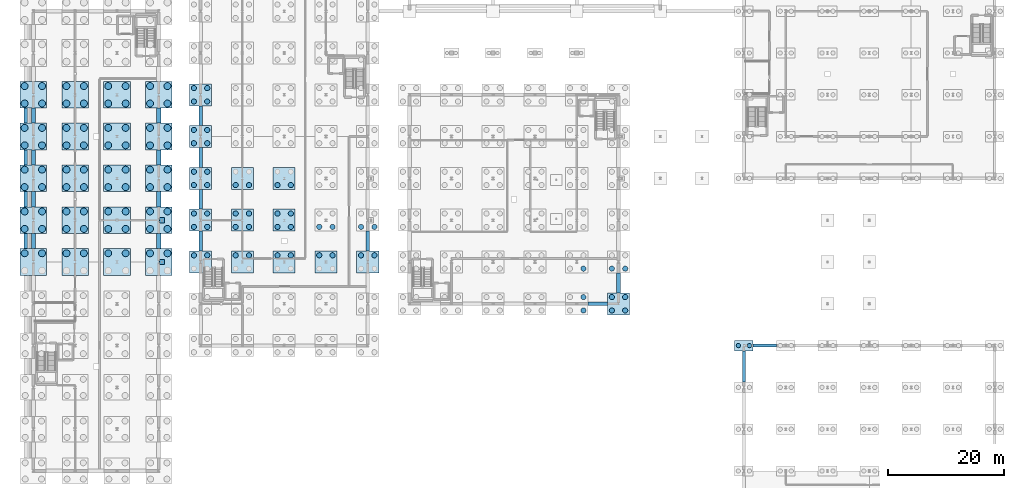
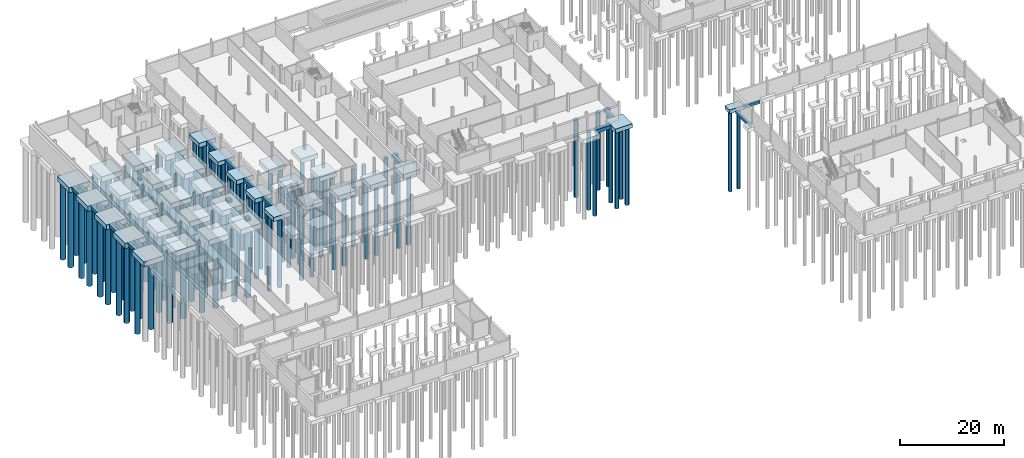
# One storey, part 3 of 50: 125 piles, 58 footings.
"""IFC4 building model written with IfcOpenShell, lengths in metres."""

from ifc_helpers import new_model, si_unit, direction, frame, origin, origin_2d, place, context, subcontext, project, spatial, rectangle, circle, extrude, material, layer, layer_set, material_profile, profile_set, type_object, element, save


model = new_model("IFC4")

# Units and contexts
model_context = context("Model", 3, precision=1e-05, world=origin(), true_north=direction((0.0, 1.0)))
body_context = subcontext(model_context, "Body", "Model", "MODEL_VIEW")
ifc_project = project(units=[si_unit("LENGTHUNIT", "METRE"), si_unit("AREAUNIT", "SQUARE_METRE"), si_unit("VOLUMEUNIT", "CUBIC_METRE"), si_unit("PLANEANGLEUNIT", "RADIAN"), si_unit("MASSUNIT", "GRAM", prefix="KILO")], contexts=[model_context])

# Site, building, storey
site_placement = place(None, origin())
site = spatial("IfcSite", under=ifc_project, at=site_placement, CompositionType="ELEMENT")
building_placement = place(site_placement, origin())
building = spatial("IfcBuilding", under=site, at=building_placement, Name="Narikvali Park Central Library", CompositionType="ELEMENT")
storey_placement = place(building_placement, frame((0.0, 0.0, -4.199951171875)))
storey = spatial("IfcBuildingStorey", under=building, at=storey_placement, Name="B1", CompositionType="ELEMENT", Elevation=-4.199951171875)

# Piles
ifc_material = material(Name="Concrete C35/45", Category="concrete")
ifc_material_profile_1 = material_profile(ifc_material, circle(Radius=0.60009765625, at=origin_2d()), Name="PILE D1200")
ifc_profile_set_1 = profile_set([ifc_material_profile_1], Name="Concrete C35/45")
pile_type_1 = type_object("IfcPileType", Name="Bored Pile D1200", PredefinedType="BORED", material=ifc_profile_set_1)
for number, where, z_axis, x_axis, name in (
    (1, (-1.5, 66.300048828125, -1.699951171875), (0.0, 0.0, -1.0), (1.0, 0.0, 0.0), "Bored Pile (-1.50,66.30)"),
    (2, (1.5, 66.300048828125, -1.699951171875), (0.0, 0.0, -1.0), (1.0, 0.0, 0.0), "Bored Pile (1.50,66.30)"),
    (3, (-1.5, 70.5, -1.699951171875), (0.0, 0.0, -1.0), (1.0, 0.0, 0.0), "Bored Pile (-1.50,70.50)"),
    (4, (1.5, 70.5, -1.699951171875), (0.0, 0.0, -1.0), (1.0, 0.0, 0.0), "Bored Pile (1.50,70.50)"),
    (5, (-1.5, 73.5, -1.699951171875), (0.0, 0.0, -1.0), (1.0, 0.0, 0.0), "Bored Pile (-1.50,73.50)"),
    (6, (1.5, 73.5, -1.699951171875), (0.0, 0.0, -1.0), (1.0, 0.0, 0.0), "Bored Pile (1.50,73.50)"),
    (7, (-1.5, 77.699951171875, -1.699951171875), (0.0, 0.0, -1.0), (1.0, 0.0, 0.0), "Bored Pile (-1.50,77.70)"),
    (8, (1.5, 77.699951171875, -1.699951171875), (0.0, 0.0, -1.0), (1.0, 0.0, 0.0), "Bored Pile (1.50,77.70)"),
    (9, (-1.5, 80.699951171875, -1.699951171875), (0.0, 0.0, -1.0), (1.0, 0.0, 0.0), "Bored Pile (-1.50,80.70)"),
    (10, (1.5, 80.699951171875, -1.699951171875), (0.0, 0.0, -1.0), (1.0, 0.0, 0.0), "Bored Pile (1.50,80.70)"),
    (11, (-1.5, 84.89990234375, -1.699951171875), (0.0, 0.0, -1.0), (1.0, 0.0, 0.0), "Bored Pile (-1.50,84.90)"),
    (12, (1.5, 84.89990234375, -1.699951171875), (0.0, 0.0, -1.0), (1.0, 0.0, 0.0), "Bored Pile (1.50,84.90)"),
    (13, (-1.5, 87.89990234375, -1.699951171875), (0.0, 0.0, -1.0), (1.0, 0.0, 0.0), "Bored Pile (-1.50,87.90)"),
    (14, (1.5, 87.89990234375, -1.699951171875), (0.0, 0.0, -1.0), (1.0, 0.0, 0.0), "Bored Pile (1.50,87.90)"),
    (15, (-1.5, 92.10009765625, -1.699951171875), (0.0, 0.0, -1.0), (1.0, 0.0, 0.0), "Bored Pile (-1.50,92.10)"),
    (16, (1.5, 92.10009765625, -1.699951171875), (0.0, 0.0, -1.0), (1.0, 0.0, 0.0), "Bored Pile (1.50,92.10)"),
    (17, (-1.5, 95.10009765625, -1.699951171875), (0.0, 0.0, -1.0), (1.0, 0.0, 0.0), "Bored Pile (-1.50,95.10)"),
    (18, (1.5, 95.10009765625, -1.699951171875), (0.0, 0.0, -1.0), (1.0, 0.0, 0.0), "Bored Pile (1.50,95.10)"),
    (19, (5.699951171875, 66.300048828125, -1.699951171875), (0.0, 0.0, -1.0), (1.0, 0.0, 0.0), "Bored Pile (5.70,66.30)"),
    (20, (8.699951171875, 66.300048828125, -1.699951171875), (0.0, 0.0, -1.0), (1.0, 0.0, 0.0), "Bored Pile (8.70,66.30)"),
    (21, (5.699951171875, 70.5, -1.699951171875), (0.0, 0.0, -1.0), (1.0, 0.0, 0.0), "Bored Pile (5.70,70.50)"),
    (22, (8.699951171875, 70.5, -1.699951171875), (0.0, 0.0, -1.0), (1.0, 0.0, 0.0), "Bored Pile (8.70,70.50)"),
    (23, (5.699951171875, 73.5, -1.699951171875), (0.0, 0.0, -1.0), (1.0, 0.0, 0.0), "Bored Pile (5.70,73.50)"),
    (24, (8.699951171875, 73.5, -1.699951171875), (0.0, 0.0, -1.0), (1.0, 0.0, 0.0), "Bored Pile (8.70,73.50)"),
    (25, (5.699951171875, 77.699951171875, -1.699951171875), (0.0, 0.0, -1.0), (1.0, 0.0, 0.0), "Bored Pile (5.70,77.70)"),
    (26, (8.699951171875, 77.699951171875, -1.699951171875), (0.0, 0.0, -1.0), (1.0, 0.0, 0.0), "Bored Pile (8.70,77.70)"),
    (27, (5.699951171875, 80.699951171875, -1.699951171875), (0.0, 0.0, -1.0), (1.0, 0.0, 0.0), "Bored Pile (5.70,80.70)"),
    (28, (8.699951171875, 80.699951171875, -1.699951171875), (0.0, 0.0, -1.0), (1.0, 0.0, 0.0), "Bored Pile (8.70,80.70)"),
    (29, (5.699951171875, 84.89990234375, -1.699951171875), (0.0, 0.0, -1.0), (1.0, 0.0, 0.0), "Bored Pile (5.70,84.90)"),
    (30, (8.699951171875, 84.89990234375, -1.699951171875), (0.0, 0.0, -1.0), (1.0, 0.0, 0.0), "Bored Pile (8.70,84.90)"),
    (31, (5.699951171875, 87.89990234375, -1.699951171875), (0.0, 0.0, -1.0), (1.0, 0.0, 0.0), "Bored Pile (5.70,87.90)"),
    (32, (8.699951171875, 87.89990234375, -1.699951171875), (0.0, 0.0, -1.0), (1.0, 0.0, 0.0), "Bored Pile (8.70,87.90)"),
    (33, (5.699951171875, 92.10009765625, -1.699951171875), (0.0, 0.0, -1.0), (1.0, 0.0, 0.0), "Bored Pile (5.70,92.10)"),
    (34, (8.699951171875, 92.10009765625, -1.699951171875), (0.0, 0.0, -1.0), (1.0, 0.0, 0.0), "Bored Pile (8.70,92.10)"),
    (35, (5.699951171875, 95.10009765625, -1.699951171875), (0.0, 0.0, -1.0), (1.0, 0.0, 0.0), "Bored Pile (5.70,95.10)"),
    (36, (8.699951171875, 95.10009765625, -1.699951171875), (0.0, 0.0, -1.0), (1.0, 0.0, 0.0), "Bored Pile (8.70,95.10)"),
    (37, (12.89990234375, 66.300048828125, -1.699951171875), (0.0, 0.0, -1.0), (1.0, 0.0, 0.0), "Bored Pile (12.90,66.30)"),
    (38, (15.89990234375, 66.300048828125, -1.699951171875), (0.0, 0.0, -1.0), (1.0, 0.0, 0.0), "Bored Pile (15.90,66.30)"),
    (39, (12.89990234375, 70.5, -1.699951171875), (0.0, 0.0, -1.0), (1.0, 0.0, 0.0), "Bored Pile (12.90,70.50)"),
    (40, (15.89990234375, 70.5, -1.699951171875), (0.0, 0.0, -1.0), (1.0, 0.0, 0.0), "Bored Pile (15.90,70.50)"),
    (41, (12.89990234375, 73.5, -1.699951171875), (0.0, 0.0, -1.0), (1.0, 0.0, 0.0), "Bored Pile (12.90,73.50)"),
    (42, (15.89990234375, 73.5, -1.699951171875), (0.0, 0.0, -1.0), (1.0, 0.0, 0.0), "Bored Pile (15.90,73.50)"),
    (43, (12.89990234375, 77.699951171875, -1.699951171875), (0.0, 0.0, -1.0), (1.0, 0.0, 0.0), "Bored Pile (12.90,77.70)"),
    (44, (15.89990234375, 77.699951171875, -1.699951171875), (0.0, 0.0, -1.0), (1.0, 0.0, 0.0), "Bored Pile (15.90,77.70)"),
    (45, (12.89990234375, 80.699951171875, -1.699951171875), (0.0, 0.0, -1.0), (1.0, 0.0, 0.0), "Bored Pile (12.90,80.70)"),
    (46, (15.89990234375, 80.699951171875, -1.699951171875), (0.0, 0.0, -1.0), (1.0, 0.0, 0.0), "Bored Pile (15.90,80.70)"),
    (47, (12.89990234375, 84.89990234375, -1.699951171875), (0.0, 0.0, -1.0), (1.0, 0.0, 0.0), "Bored Pile (12.90,84.90)"),
    (48, (15.89990234375, 84.89990234375, -1.699951171875), (0.0, 0.0, -1.0), (1.0, 0.0, 0.0), "Bored Pile (15.90,84.90)"),
    (49, (12.89990234375, 87.89990234375, -1.699951171875), (0.0, 0.0, -1.0), (1.0, 0.0, 0.0), "Bored Pile (12.90,87.90)"),
    (50, (15.89990234375, 87.89990234375, -1.699951171875), (0.0, 0.0, -1.0), (1.0, 0.0, 0.0), "Bored Pile (15.90,87.90)"),
    (51, (12.89990234375, 92.10009765625, -1.699951171875), (0.0, 0.0, -1.0), (1.0, 0.0, 0.0), "Bored Pile (12.90,92.10)"),
    (52, (15.89990234375, 92.10009765625, -1.699951171875), (0.0, 0.0, -1.0), (1.0, 0.0, 0.0), "Bored Pile (15.90,92.10)"),
    (53, (12.89990234375, 95.10009765625, -1.699951171875), (0.0, 0.0, -1.0), (1.0, 0.0, 0.0), "Bored Pile (12.90,95.10)"),
    (54, (15.89990234375, 95.10009765625, -1.699951171875), (0.0, 0.0, -1.0), (1.0, 0.0, 0.0), "Bored Pile (15.90,95.10)"),
    (55, (20.10009765625, 66.300048828125, -1.699951171875), (0.0, 0.0, -1.0), (1.0, 0.0, 0.0), "Bored Pile (20.10,66.30)"),
    (56, (23.10009765625, 66.300048828125, -1.699951171875), (0.0, 0.0, -1.0), (1.0, 0.0, 0.0), "Bored Pile (23.10,66.30)"),
    (57, (20.10009765625, 70.5, -1.699951171875), (0.0, 0.0, -1.0), (1.0, 0.0, 0.0), "Bored Pile (20.10,70.50)"),
    (58, (23.10009765625, 70.5, -1.699951171875), (0.0, 0.0, -1.0), (1.0, 0.0, 0.0), "Bored Pile (23.10,70.50)"),
    (59, (20.10009765625, 73.5, -1.699951171875), (0.0, 0.0, -1.0), (1.0, 0.0, 0.0), "Bored Pile (20.10,73.50)"),
    (60, (23.10009765625, 73.5, -1.699951171875), (0.0, 0.0, -1.0), (1.0, 0.0, 0.0), "Bored Pile (23.10,73.50)"),
    (61, (20.10009765625, 77.699951171875, -1.699951171875), (0.0, 0.0, -1.0), (1.0, 0.0, 0.0), "Bored Pile (20.10,77.70)"),
    (62, (23.10009765625, 77.699951171875, -1.699951171875), (0.0, 0.0, -1.0), (1.0, 0.0, 0.0), "Bored Pile (23.10,77.70)"),
    (63, (20.10009765625, 80.699951171875, -1.699951171875), (0.0, 0.0, -1.0), (1.0, 0.0, 0.0), "Bored Pile (20.10,80.70)"),
    (64, (23.10009765625, 80.699951171875, -1.699951171875), (0.0, 0.0, -1.0), (1.0, 0.0, 0.0), "Bored Pile (23.10,80.70)"),
    (65, (20.10009765625, 84.89990234375, -1.699951171875), (0.0, 0.0, -1.0), (1.0, 0.0, 0.0), "Bored Pile (20.10,84.90)"),
    (66, (23.10009765625, 84.89990234375, -1.699951171875), (0.0, 0.0, -1.0), (1.0, 0.0, 0.0), "Bored Pile (23.10,84.90)"),
    (67, (20.10009765625, 87.89990234375, -1.699951171875), (0.0, 0.0, -1.0), (1.0, 0.0, 0.0), "Bored Pile (20.10,87.90)"),
    (68, (23.10009765625, 87.89990234375, -1.699951171875), (0.0, 0.0, -1.0), (1.0, 0.0, 0.0), "Bored Pile (23.10,87.90)"),
    (69, (20.10009765625, 92.10009765625, -1.699951171875), (0.0, 0.0, -1.0), (1.0, 0.0, 0.0), "Bored Pile (20.10,92.10)"),
    (70, (23.10009765625, 92.10009765625, -1.699951171875), (0.0, 0.0, -1.0), (1.0, 0.0, 0.0), "Bored Pile (23.10,92.10)"),
    (71, (20.10009765625, 95.10009765625, -1.699951171875), (0.0, 0.0, -1.0), (1.0, 0.0, 0.0), "Bored Pile (20.10,95.10)"),
    (72, (23.10009765625, 95.10009765625, -1.699951171875), (0.0, 0.0, -1.0), (1.0, 0.0, 0.0), "Bored Pile (23.10,95.10)"),
):
    element("IfcPile", number, at=place(storey_placement, frame(where, z_axis=z_axis, x_axis=x_axis)), inside=storey, type_object=pile_type_1, Name=name, PredefinedType="BORED", context=body_context, shape_type="SweptSolid", body=[
        extrude(circle(Radius=0.60009765625, at=origin_2d()), origin(), (0.0, 0.0, 1.0), 18.10009765625),
    ])
ifc_material_profile_2 = material_profile(ifc_material, circle(Radius=0.375, at=origin_2d()), Name="PILE D750")
ifc_profile_set_2 = profile_set([ifc_material_profile_2], Name="Concrete C35/45")
pile_type_2 = type_object("IfcPileType", Name="Bored Pile D750", PredefinedType="BORED", material=ifc_profile_set_2)
for number, where, z_axis, x_axis, name in (
    (73, (121.449951171875, 50.39990234375, -0.800048828125), (0.0, 0.0, -1.0), (1.0, 0.0, 0.0), "Bored Pile (121.45,50.40)"),
    (74, (123.35009765625, 50.39990234375, -0.800048828125), (0.0, 0.0, -1.0), (1.0, 0.0, 0.0), "Bored Pile (123.35,50.40)"),
):
    element("IfcPile", number, at=place(storey_placement, frame(where, z_axis=z_axis, x_axis=x_axis)), inside=storey, type_object=pile_type_2, Name=name, PredefinedType="BORED", context=body_context, shape_type="SweptSolid", body=[
        extrude(circle(Radius=0.375, at=origin_2d()), origin(), (0.0, 0.0, 1.0), 19.0),
    ])
ifc_material_profile_3 = material_profile(ifc_material, circle(Radius=0.449951171875, at=origin_2d()), Name="PILE D900")
ifc_profile_set_3 = profile_set([ifc_material_profile_3], Name="Concrete C35/45")
pile_type_3 = type_object("IfcPileType", Name="Bored Pile D900", PredefinedType="BORED", material=ifc_profile_set_3)
for number, where, z_axis, x_axis, name in (
    (75, (94.75, 56.449951171875, -1.5), (0.0, 0.0, -1.0), (1.0, 0.0, 0.0), "Bored Pile (94.75,56.45)"),
    (76, (94.75, 58.75, -1.5), (0.0, 0.0, -1.0), (1.0, 0.0, 0.0), "Bored Pile (94.75,58.75)"),
    (77, (94.75, 63.64990234375, -1.5), (0.0, 0.0, -1.0), (1.0, 0.0, 0.0), "Bored Pile (94.75,63.65)"),
    (78, (99.64990234375, 56.449951171875, -1.5), (0.0, 0.0, -1.0), (1.0, 0.0, 0.0), "Bored Pile (99.65,56.45)"),
    (79, (101.949951171875, 56.449951171875, -1.5), (0.0, 0.0, -1.0), (1.0, 0.0, 0.0), "Bored Pile (101.95,56.45)"),
    (80, (99.64990234375, 58.75, -1.5), (0.0, 0.0, -1.0), (1.0, 0.0, 0.0), "Bored Pile (99.65,58.75)"),
    (81, (101.949951171875, 58.75, -1.5), (0.0, 0.0, -1.0), (1.0, 0.0, 0.0), "Bored Pile (101.95,58.75)"),
    (82, (99.64990234375, 63.64990234375, -1.5), (0.0, 0.0, -1.0), (1.0, 0.0, 0.0), "Bored Pile (99.65,63.65)"),
    (83, (101.949951171875, 63.64990234375, -1.5), (0.0, 0.0, -1.0), (1.0, 0.0, 0.0), "Bored Pile (101.95,63.65)"),
    (84, (27.64990234375, 65.949951171875, -1.5), (0.0, 0.0, -1.0), (1.0, 0.0, 0.0), "Bored Pile (27.65,65.95)"),
    (85, (29.949951171875, 65.949951171875, -1.5), (0.0, 0.0, -1.0), (1.0, 0.0, 0.0), "Bored Pile (29.95,65.95)"),
    (86, (27.64990234375, 70.85009765625, -1.5), (0.0, 0.0, -1.0), (1.0, 0.0, 0.0), "Bored Pile (27.65,70.85)"),
    (87, (29.949951171875, 70.85009765625, -1.5), (0.0, 0.0, -1.0), (1.0, 0.0, 0.0), "Bored Pile (29.95,70.85)"),
    (88, (27.64990234375, 73.14990234375, -1.5), (0.0, 0.0, -1.0), (1.0, 0.0, 0.0), "Bored Pile (27.65,73.15)"),
    (89, (29.949951171875, 73.14990234375, -1.5), (0.0, 0.0, -1.0), (1.0, 0.0, 0.0), "Bored Pile (29.95,73.15)"),
    (90, (27.64990234375, 78.050048828125, -1.5), (0.0, 0.0, -1.0), (1.0, 0.0, 0.0), "Bored Pile (27.65,78.05)"),
    (91, (29.949951171875, 78.050048828125, -1.5), (0.0, 0.0, -1.0), (1.0, 0.0, 0.0), "Bored Pile (29.95,78.05)"),
    (92, (27.64990234375, 80.35009765625, -1.5), (0.0, 0.0, -1.0), (1.0, 0.0, 0.0), "Bored Pile (27.65,80.35)"),
    (93, (29.949951171875, 80.35009765625, -1.5), (0.0, 0.0, -1.0), (1.0, 0.0, 0.0), "Bored Pile (29.95,80.35)"),
    (94, (27.64990234375, 85.25, -1.5), (0.0, 0.0, -1.0), (1.0, 0.0, 0.0), "Bored Pile (27.65,85.25)"),
    (95, (29.949951171875, 85.25, -1.5), (0.0, 0.0, -1.0), (1.0, 0.0, 0.0), "Bored Pile (29.95,85.25)"),
    (96, (27.64990234375, 87.550048828125, -1.5), (0.0, 0.0, -1.0), (1.0, 0.0, 0.0), "Bored Pile (27.65,87.55)"),
    (97, (29.949951171875, 87.550048828125, -1.5), (0.0, 0.0, -1.0), (1.0, 0.0, 0.0), "Bored Pile (29.95,87.55)"),
    (98, (27.64990234375, 92.449951171875, -1.5), (0.0, 0.0, -1.0), (1.0, 0.0, 0.0), "Bored Pile (27.65,92.45)"),
    (99, (29.949951171875, 92.449951171875, -1.5), (0.0, 0.0, -1.0), (1.0, 0.0, 0.0), "Bored Pile (29.95,92.45)"),
    (100, (27.64990234375, 94.75, -1.5), (0.0, 0.0, -1.0), (1.0, 0.0, 0.0), "Bored Pile (27.65,94.75)"),
    (101, (29.949951171875, 94.75, -1.5), (0.0, 0.0, -1.0), (1.0, 0.0, 0.0), "Bored Pile (29.95,94.75)"),
    (102, (34.85009765625, 65.949951171875, -1.5), (0.0, 0.0, -1.0), (1.0, 0.0, 0.0), "Bored Pile (34.85,65.95)"),
    (103, (37.14990234375, 65.949951171875, -1.5), (0.0, 0.0, -1.0), (1.0, 0.0, 0.0), "Bored Pile (37.15,65.95)"),
    (104, (34.85009765625, 70.85009765625, -1.5), (0.0, 0.0, -1.0), (1.0, 0.0, 0.0), "Bored Pile (34.85,70.85)"),
    (105, (37.14990234375, 70.85009765625, -1.5), (0.0, 0.0, -1.0), (1.0, 0.0, 0.0), "Bored Pile (37.15,70.85)"),
    (106, (34.85009765625, 73.14990234375, -1.5), (0.0, 0.0, -1.0), (1.0, 0.0, 0.0), "Bored Pile (34.85,73.15)"),
    (107, (37.14990234375, 73.14990234375, -1.5), (0.0, 0.0, -1.0), (1.0, 0.0, 0.0), "Bored Pile (37.15,73.15)"),
    (108, (34.85009765625, 78.050048828125, -1.5), (0.0, 0.0, -1.0), (1.0, 0.0, 0.0), "Bored Pile (34.85,78.05)"),
    (109, (37.14990234375, 78.050048828125, -1.5), (0.0, 0.0, -1.0), (1.0, 0.0, 0.0), "Bored Pile (37.15,78.05)"),
    (110, (42.050048828125, 65.949951171875, -1.5), (0.0, 0.0, -1.0), (1.0, 0.0, 0.0), "Bored Pile (42.05,65.95)"),
    (111, (44.35009765625, 65.949951171875, -1.5), (0.0, 0.0, -1.0), (1.0, 0.0, 0.0), "Bored Pile (44.35,65.95)"),
    (112, (42.050048828125, 70.85009765625, -1.5), (0.0, 0.0, -1.0), (1.0, 0.0, 0.0), "Bored Pile (42.05,70.85)"),
    (113, (44.35009765625, 70.85009765625, -1.5), (0.0, 0.0, -1.0), (1.0, 0.0, 0.0), "Bored Pile (44.35,70.85)"),
    (114, (42.050048828125, 73.14990234375, -1.5), (0.0, 0.0, -1.0), (1.0, 0.0, 0.0), "Bored Pile (42.05,73.15)"),
    (115, (44.35009765625, 73.14990234375, -1.5), (0.0, 0.0, -1.0), (1.0, 0.0, 0.0), "Bored Pile (44.35,73.15)"),
    (116, (42.050048828125, 78.050048828125, -1.5), (0.0, 0.0, -1.0), (1.0, 0.0, 0.0), "Bored Pile (42.05,78.05)"),
    (117, (44.35009765625, 78.050048828125, -1.5), (0.0, 0.0, -1.0), (1.0, 0.0, 0.0), "Bored Pile (44.35,78.05)"),
    (118, (49.25, 65.949951171875, -1.5), (0.0, 0.0, -1.0), (1.0, 0.0, 0.0), "Bored Pile (49.25,65.95)"),
    (119, (51.550048828125, 65.949951171875, -1.5), (0.0, 0.0, -1.0), (1.0, 0.0, 0.0), "Bored Pile (51.55,65.95)"),
    (120, (49.25, 70.85009765625, -1.5), (0.0, 0.0, -1.0), (1.0, 0.0, 0.0), "Bored Pile (49.25,70.85)"),
    (121, (51.550048828125, 70.85009765625, -1.5), (0.0, 0.0, -1.0), (1.0, 0.0, 0.0), "Bored Pile (51.55,70.85)"),
    (122, (56.449951171875, 65.949951171875, -1.5), (0.0, 0.0, -1.0), (1.0, 0.0, 0.0), "Bored Pile (56.45,65.95)"),
    (123, (58.75, 65.949951171875, -1.5), (0.0, 0.0, -1.0), (1.0, 0.0, 0.0), "Bored Pile (58.75,65.95)"),
    (124, (56.449951171875, 70.85009765625, -1.5), (0.0, 0.0, -1.0), (1.0, 0.0, 0.0), "Bored Pile (56.45,70.85)"),
    (125, (58.75, 70.85009765625, -1.5), (0.0, 0.0, -1.0), (1.0, 0.0, 0.0), "Bored Pile (58.75,70.85)"),
):
    element("IfcPile", number, at=place(storey_placement, frame(where, z_axis=z_axis, x_axis=x_axis)), inside=storey, type_object=pile_type_3, Name=name, PredefinedType="BORED", context=body_context, shape_type="SweptSolid", body=[
        extrude(circle(Radius=0.449951171875, at=origin_2d()), origin(), (0.0, 0.0, 1.0), 18.300048828125),
    ])

# Footings
ifc_layer_1 = layer(ifc_material, 0.60009765625, Name="Concrete C35/45")
ifc_layer_set_1 = layer_set([ifc_layer_1], Name="Concrete C35/45")
footing_type_1 = type_object("IfcFootingType", Name="Bridge Corbel Pedestal 900x900x600", PredefinedType="PAD_FOOTING", material=ifc_layer_set_1)
for number, where, z_axis, x_axis, name in (
    (126, (22.14990234375, 64.800048828125, -0.60009765625), (0.0, 0.0, 1.0), (1.0, 0.0, 0.0), "BRG-1 Bridge Corbel Pedestal"),
    (127, (22.14990234375, 72.0, -0.60009765625), (0.0, 0.0, 1.0), (1.0, 0.0, 0.0), "BRG-1 Bridge Corbel Pedestal"),
):
    element("IfcFooting", number, at=place(storey_placement, frame(where, z_axis=z_axis, x_axis=x_axis)), inside=storey, type_object=footing_type_1, Name=name, PredefinedType="PAD_FOOTING", context=body_context, shape_type="SweptSolid", body=[
        extrude(rectangle(XDim=0.89990234375, YDim=0.89990234375, at=origin_2d()), origin(), (0.0, 0.0, 1.0), 0.60009765625),
    ])
ifc_material_profile_4 = material_profile(ifc_material, rectangle(XDim=0.60009765625, YDim=0.800048828125, at=origin_2d()), Name="RC GB 600x800")
ifc_profile_set_4 = profile_set([ifc_material_profile_4], Name="Concrete C35/45")
footing_type_2 = type_object("IfcFootingType", Name="Foundation Strip Tie Footing 600x800", PredefinedType="STRIP_FOOTING", material=ifc_profile_set_4)
for number, where, z_axis, x_axis, name in (
    (128, (28.800048828125, 66.699951171875, -1.0), (0.0, 1.0, 0.0), (-1.0, 0.0, 0.0), "V4 Foundation Tie Beam Y"),
    (129, (28.800048828125, 73.89990234375, -1.0), (0.0, 1.0, 0.0), (-1.0, 0.0, 0.0), "V4 Foundation Tie Beam Y"),
):
    element("IfcFooting", number, at=place(storey_placement, frame(where, z_axis=z_axis, x_axis=x_axis)), inside=storey, type_object=footing_type_2, Name=name, PredefinedType="STRIP_FOOTING", context=body_context, shape_type="SweptSolid", body=[
        extrude(rectangle(XDim=0.60009765625, YDim=0.800048828125, at=origin_2d()), origin(), (0.0, 0.0, 1.0), 3.400146484375),
    ])
for number, where, z_axis, x_axis, name in (
    (130, (28.800048828125, 81.10009765625, -1.0), (0.0, 1.0, 0.0), (-1.0, 0.0, 0.0), "V4 Foundation Tie Beam Y"),
    (131, (28.800048828125, 88.300048828125, -1.0), (0.0, 1.0, 0.0), (-1.0, 0.0, 0.0), "V4 Foundation Tie Beam Y"),
):
    element("IfcFooting", number, at=place(storey_placement, frame(where, z_axis=z_axis, x_axis=x_axis)), inside=storey, type_object=footing_type_2, Name=name, PredefinedType="STRIP_FOOTING", context=body_context, shape_type="SweptSolid", body=[
        extrude(rectangle(XDim=0.60009765625, YDim=0.800048828125, at=origin_2d()), origin(), (0.0, 0.0, 1.0), 3.39990234375),
    ])
footing_1_placement = place(storey_placement, frame((57.60009765625, 66.699951171875, -1.0), z_axis=(0.0, 1.0, 0.0), x_axis=(-1.0, 0.0, 0.0)))
element("IfcFooting", 132, at=footing_1_placement, inside=storey, type_object=footing_type_2, Name="V4 Foundation Tie Beam Y", PredefinedType="STRIP_FOOTING", context=body_context, shape_type="SweptSolid", body=[
    extrude(rectangle(XDim=0.60009765625, YDim=0.800048828125, at=origin_2d()), origin(), (0.0, 0.0, 1.0), 3.400146484375),
])
for number, where, z_axis, x_axis, name in (
    (133, (-1.35009765625, 67.10009765625, -1.0), (0.0, 1.0, 0.0), (-1.0, 0.0, 0.0), "West Stacks Fin Tie Footing (64.8..72.0)"),
    (134, (-1.35009765625, 74.300048828125, -1.0), (0.0, 1.0, 0.0), (-1.0, 0.0, 0.0), "West Stacks Fin Tie Footing (72.0..79.2)"),
):
    element("IfcFooting", number, at=place(storey_placement, frame(where, z_axis=z_axis, x_axis=x_axis)), inside=storey, type_object=footing_type_2, Name=name, PredefinedType="STRIP_FOOTING", context=body_context, shape_type="SweptSolid", body=[
        extrude(rectangle(XDim=0.60009765625, YDim=0.800048828125, at=origin_2d()), origin(), (0.0, 0.0, 1.0), 2.599853515625),
    ])
for number, where, z_axis, x_axis, name in (
    (135, (-1.35009765625, 81.5, -1.0), (0.0, 1.0, 0.0), (-1.0, 0.0, 0.0), "West Stacks Fin Tie Footing (79.2..86.4)"),
    (136, (-1.35009765625, 88.699951171875, -1.0), (0.0, 1.0, 0.0), (-1.0, 0.0, 0.0), "West Stacks Fin Tie Footing (86.4..93.6)"),
):
    element("IfcFooting", number, at=place(storey_placement, frame(where, z_axis=z_axis, x_axis=x_axis)), inside=storey, type_object=footing_type_2, Name=name, PredefinedType="STRIP_FOOTING", context=body_context, shape_type="SweptSolid", body=[
        extrude(rectangle(XDim=0.60009765625, YDim=0.800048828125, at=origin_2d()), origin(), (0.0, 0.0, 1.0), 2.60009765625),
    ])
ifc_layer_2 = layer(ifc_material, 1.0, Name="Concrete C35/45")
ifc_layer_set_2 = layer_set([ifc_layer_2], Name="Concrete C35/45")
footing_type_3 = type_object("IfcFootingType", Name="Four Pile Cap 3800x3800x1000", PredefinedType="PILE_CAP", material=ifc_layer_set_2)
for number, where, z_axis, x_axis, name in (
    (137, (100.800048828125, 57.60009765625, -1.60009765625), (0.0, 0.0, 1.0), (1.0, 0.0, 0.0), "Pile Cap (100.8,57.6)"),
    (138, (28.800048828125, 64.800048828125, -1.60009765625), (0.0, 0.0, 1.0), (1.0, 0.0, 0.0), "Pile Cap (28.8,64.8)"),
    (139, (28.800048828125, 72.0, -1.60009765625), (0.0, 0.0, 1.0), (1.0, 0.0, 0.0), "Pile Cap (28.8,72.0)"),
    (140, (28.800048828125, 79.199951171875, -1.60009765625), (0.0, 0.0, 1.0), (1.0, 0.0, 0.0), "Pile Cap (28.8,79.2)"),
    (141, (28.800048828125, 86.39990234375, -1.60009765625), (0.0, 0.0, 1.0), (1.0, 0.0, 0.0), "Pile Cap (28.8,86.4)"),
    (142, (28.800048828125, 93.60009765625, -1.60009765625), (0.0, 0.0, 1.0), (1.0, 0.0, 0.0), "Pile Cap (28.8,93.6)"),
    (143, (36.0, 64.800048828125, -1.60009765625), (0.0, 0.0, 1.0), (1.0, 0.0, 0.0), "Pile Cap (36.0,64.8)"),
    (144, (36.0, 72.0, -1.60009765625), (0.0, 0.0, 1.0), (1.0, 0.0, 0.0), "Pile Cap (36.0,72.0)"),
    (145, (36.0, 79.199951171875, -1.60009765625), (0.0, 0.0, 1.0), (1.0, 0.0, 0.0), "Pile Cap (36.0,79.2)"),
    (146, (43.199951171875, 64.800048828125, -1.60009765625), (0.0, 0.0, 1.0), (1.0, 0.0, 0.0), "Pile Cap (43.2,64.8)"),
    (147, (43.199951171875, 72.0, -1.60009765625), (0.0, 0.0, 1.0), (1.0, 0.0, 0.0), "Pile Cap (43.2,72.0)"),
    (148, (43.199951171875, 79.199951171875, -1.60009765625), (0.0, 0.0, 1.0), (1.0, 0.0, 0.0), "Pile Cap (43.2,79.2)"),
    (149, (50.39990234375, 64.800048828125, -1.60009765625), (0.0, 0.0, 1.0), (1.0, 0.0, 0.0), "Pile Cap (50.4,64.8)"),
    (150, (57.60009765625, 64.800048828125, -1.60009765625), (0.0, 0.0, 1.0), (1.0, 0.0, 0.0), "Pile Cap (57.6,64.8)"),
):
    element("IfcFooting", number, at=place(storey_placement, frame(where, z_axis=z_axis, x_axis=x_axis)), inside=storey, type_object=footing_type_3, Name=name, PredefinedType="PILE_CAP", context=body_context, shape_type="SweptSolid", body=[
        extrude(rectangle(XDim=3.800048828125, YDim=3.800048828125, at=origin_2d()), origin(), (0.0, 0.0, 1.0), 1.0),
    ])
ifc_layer_3 = layer(ifc_material, 1.199951171875, Name="Concrete C35/45")
ifc_layer_set_3 = layer_set([ifc_layer_3], Name="Concrete C35/45")
footing_type_4 = type_object("IfcFootingType", Name="Four Pile Cap 4600x4600x1200", PredefinedType="PILE_CAP", material=ifc_layer_set_3)
for number, where, z_axis, x_axis, name in (
    (151, (0.0, 64.800048828125, -1.7998046875), (0.0, 0.0, 1.0), (1.0, 0.0, 0.0), "Pile Cap (0.0,64.8)"),
    (152, (0.0, 72.0, -1.7998046875), (0.0, 0.0, 1.0), (1.0, 0.0, 0.0), "Pile Cap (0.0,72.0)"),
    (153, (0.0, 79.199951171875, -1.7998046875), (0.0, 0.0, 1.0), (1.0, 0.0, 0.0), "Pile Cap (0.0,79.2)"),
    (154, (0.0, 86.39990234375, -1.7998046875), (0.0, 0.0, 1.0), (1.0, 0.0, 0.0), "Pile Cap (0.0,86.4)"),
    (155, (0.0, 93.60009765625, -1.7998046875), (0.0, 0.0, 1.0), (1.0, 0.0, 0.0), "Pile Cap (0.0,93.6)"),
    (156, (7.199951171875, 64.800048828125, -1.7998046875), (0.0, 0.0, 1.0), (1.0, 0.0, 0.0), "Pile Cap (7.2,64.8)"),
    (157, (7.199951171875, 72.0, -1.7998046875), (0.0, 0.0, 1.0), (1.0, 0.0, 0.0), "Pile Cap (7.2,72.0)"),
    (158, (7.199951171875, 79.199951171875, -1.7998046875), (0.0, 0.0, 1.0), (1.0, 0.0, 0.0), "Pile Cap (7.2,79.2)"),
    (159, (7.199951171875, 86.39990234375, -1.7998046875), (0.0, 0.0, 1.0), (1.0, 0.0, 0.0), "Pile Cap (7.2,86.4)"),
    (160, (7.199951171875, 93.60009765625, -1.7998046875), (0.0, 0.0, 1.0), (1.0, 0.0, 0.0), "Pile Cap (7.2,93.6)"),
    (161, (14.39990234375, 64.800048828125, -1.7998046875), (0.0, 0.0, 1.0), (1.0, 0.0, 0.0), "Pile Cap (14.4,64.8)"),
    (162, (14.39990234375, 72.0, -1.7998046875), (0.0, 0.0, 1.0), (1.0, 0.0, 0.0), "Pile Cap (14.4,72.0)"),
    (163, (14.39990234375, 79.199951171875, -1.7998046875), (0.0, 0.0, 1.0), (1.0, 0.0, 0.0), "Pile Cap (14.4,79.2)"),
    (164, (14.39990234375, 86.39990234375, -1.7998046875), (0.0, 0.0, 1.0), (1.0, 0.0, 0.0), "Pile Cap (14.4,86.4)"),
    (165, (14.39990234375, 93.60009765625, -1.7998046875), (0.0, 0.0, 1.0), (1.0, 0.0, 0.0), "Pile Cap (14.4,93.6)"),
    (166, (21.60009765625, 64.800048828125, -1.7998046875), (0.0, 0.0, 1.0), (1.0, 0.0, 0.0), "Pile Cap (21.6,64.8)"),
    (167, (21.60009765625, 72.0, -1.7998046875), (0.0, 0.0, 1.0), (1.0, 0.0, 0.0), "Pile Cap (21.6,72.0)"),
    (168, (21.60009765625, 79.199951171875, -1.7998046875), (0.0, 0.0, 1.0), (1.0, 0.0, 0.0), "Pile Cap (21.6,79.2)"),
    (169, (21.60009765625, 86.39990234375, -1.7998046875), (0.0, 0.0, 1.0), (1.0, 0.0, 0.0), "Pile Cap (21.6,86.4)"),
    (170, (21.60009765625, 93.60009765625, -1.7998046875), (0.0, 0.0, 1.0), (1.0, 0.0, 0.0), "Pile Cap (21.6,93.6)"),
):
    element("IfcFooting", number, at=place(storey_placement, frame(where, z_axis=z_axis, x_axis=x_axis)), inside=storey, type_object=footing_type_4, Name=name, PredefinedType="PILE_CAP", context=body_context, shape_type="SweptSolid", body=[
        extrude(rectangle(XDim=4.60009765625, YDim=4.60009765625, at=origin_2d()), origin(), (0.0, 0.0, 1.0), 1.199951171875),
    ])
ifc_material_profile_5 = material_profile(ifc_material, rectangle(XDim=0.699951171875, YDim=0.89990234375, at=origin_2d()), Name="RC GB 700x900")
ifc_profile_set_5 = profile_set([ifc_material_profile_5], Name="Concrete C35/45")
footing_type_5 = type_object("IfcFootingType", Name="Heavy Archive Tie Footing 700x900", PredefinedType="STRIP_FOOTING", material=ifc_profile_set_5)
for number, where, z_axis, x_axis, name in (
    (171, (0.0, 67.10009765625, -1.0), (0.0, 1.0, 0.0), (-1.0, 0.0, 0.0), "V5 Foundation Tie Beam Y"),
    (172, (0.0, 74.300048828125, -1.0), (0.0, 1.0, 0.0), (-1.0, 0.0, 0.0), "V5 Foundation Tie Beam Y"),
):
    element("IfcFooting", number, at=place(storey_placement, frame(where, z_axis=z_axis, x_axis=x_axis)), inside=storey, type_object=footing_type_5, Name=name, PredefinedType="STRIP_FOOTING", context=body_context, shape_type="SweptSolid", body=[
        extrude(rectangle(XDim=0.699951171875, YDim=0.89990234375, at=origin_2d()), origin(), (0.0, 0.0, 1.0), 2.599853515625),
    ])
for number, where, z_axis, x_axis, name in (
    (173, (0.0, 81.5, -1.0), (0.0, 1.0, 0.0), (-1.0, 0.0, 0.0), "V5 Foundation Tie Beam Y"),
    (174, (0.0, 88.699951171875, -1.0), (0.0, 1.0, 0.0), (-1.0, 0.0, 0.0), "V5 Foundation Tie Beam Y"),
):
    element("IfcFooting", number, at=place(storey_placement, frame(where, z_axis=z_axis, x_axis=x_axis)), inside=storey, type_object=footing_type_5, Name=name, PredefinedType="STRIP_FOOTING", context=body_context, shape_type="SweptSolid", body=[
        extrude(rectangle(XDim=0.699951171875, YDim=0.89990234375, at=origin_2d()), origin(), (0.0, 0.0, 1.0), 2.60009765625),
    ])
for number, where, z_axis, x_axis, name in (
    (175, (21.60009765625, 67.10009765625, -1.0), (0.0, 1.0, 0.0), (-1.0, 0.0, 0.0), "V5 Foundation Tie Beam Y"),
    (176, (21.60009765625, 74.300048828125, -1.0), (0.0, 1.0, 0.0), (-1.0, 0.0, 0.0), "V5 Foundation Tie Beam Y"),
):
    element("IfcFooting", number, at=place(storey_placement, frame(where, z_axis=z_axis, x_axis=x_axis)), inside=storey, type_object=footing_type_5, Name=name, PredefinedType="STRIP_FOOTING", context=body_context, shape_type="SweptSolid", body=[
        extrude(rectangle(XDim=0.699951171875, YDim=0.89990234375, at=origin_2d()), origin(), (0.0, 0.0, 1.0), 2.599853515625),
    ])
for number, where, z_axis, x_axis, name in (
    (177, (21.60009765625, 81.5, -1.0), (0.0, 1.0, 0.0), (-1.0, 0.0, 0.0), "V5 Foundation Tie Beam Y"),
    (178, (21.60009765625, 88.699951171875, -1.0), (0.0, 1.0, 0.0), (-1.0, 0.0, 0.0), "V5 Foundation Tie Beam Y"),
):
    element("IfcFooting", number, at=place(storey_placement, frame(where, z_axis=z_axis, x_axis=x_axis)), inside=storey, type_object=footing_type_5, Name=name, PredefinedType="STRIP_FOOTING", context=body_context, shape_type="SweptSolid", body=[
        extrude(rectangle(XDim=0.699951171875, YDim=0.89990234375, at=origin_2d()), origin(), (0.0, 0.0, 1.0), 2.60009765625),
    ])
ifc_material_profile_6 = material_profile(ifc_material, rectangle(XDim=0.5, YDim=0.699951171875, at=origin_2d()), Name="RC GB 500x700")
ifc_profile_set_6 = profile_set([ifc_material_profile_6], Name="Concrete C35/45")
footing_type_6 = type_object("IfcFootingType", Name="Pavilion Strip Tie Footing 500x700", PredefinedType="STRIP_FOOTING", material=ifc_profile_set_6)
footing_2_placement = place(storey_placement, frame((124.0, 50.39990234375, -1.0), z_axis=(1.0, 0.0, 0.0), x_axis=(0.0, 1.0, 0.0)))
element("IfcFooting", 179, at=footing_2_placement, inside=storey, type_object=footing_type_6, Name="V6 Foundation Tie Beam X", PredefinedType="STRIP_FOOTING", context=body_context, shape_type="SweptSolid", body=[
    extrude(rectangle(XDim=0.5, YDim=0.699951171875, at=origin_2d()), origin(), (0.0, 0.0, 1.0), 4.0),
])
footing_3_placement = place(storey_placement, frame((122.39990234375, 44.10009765625, -1.0), z_axis=(0.0, 1.0, 0.0), x_axis=(-1.0, 0.0, 0.0)))
element("IfcFooting", 180, at=footing_3_placement, inside=storey, type_object=footing_type_6, Name="V6 Foundation Tie Beam Y", PredefinedType="STRIP_FOOTING", context=body_context, shape_type="SweptSolid", body=[
    extrude(rectangle(XDim=0.5, YDim=0.699951171875, at=origin_2d()), origin(), (0.0, 0.0, 1.0), 5.39990234375),
])
ifc_material_profile_7 = material_profile(ifc_material, rectangle(XDim=0.64990234375, YDim=0.85009765625, at=origin_2d()), Name="RC GB 650x850")
ifc_profile_set_7 = profile_set([ifc_material_profile_7], Name="Concrete C35/45")
footing_type_7 = type_object("IfcFootingType", Name="Rotunda Strip Tie Footing 650x850", PredefinedType="STRIP_FOOTING", material=ifc_profile_set_7)
for number, where, z_axis, x_axis, name in (
    (181, (95.5, 57.60009765625, -1.0), (1.0, 0.0, 0.0), (0.0, 1.0, 0.0), "V1 Foundation Tie Beam X"),
    (182, (100.800048828125, 59.5, -1.0), (0.0, 1.0, 0.0), (-1.0, 0.0, 0.0), "V1 Foundation Tie Beam Y"),
):
    element("IfcFooting", number, at=place(storey_placement, frame(where, z_axis=z_axis, x_axis=x_axis)), inside=storey, type_object=footing_type_7, Name=name, PredefinedType="STRIP_FOOTING", context=body_context, shape_type="SweptSolid", body=[
        extrude(rectangle(XDim=0.64990234375, YDim=0.85009765625, at=origin_2d()), origin(), (0.0, 0.0, 1.0), 3.39990234375),
    ])
ifc_layer_4 = layer(ifc_material, 0.89990234375, Name="Concrete C35/45")
ifc_layer_set_4 = layer_set([ifc_layer_4], Name="Concrete C35/45")
footing_type_8 = type_object("IfcFootingType", Name="Two Pile Cap 3200x1800x900", PredefinedType="PILE_CAP", material=ifc_layer_set_4)
footing_4_placement = place(storey_placement, frame((122.39990234375, 50.39990234375, -0.89990234375), z_axis=(0.0, 0.0, 1.0), x_axis=(1.0, 0.0, 0.0)))
element("IfcFooting", 183, at=footing_4_placement, inside=storey, type_object=footing_type_8, Name="Pile Cap (122.4,50.4)", PredefinedType="PILE_CAP", context=body_context, shape_type="SweptSolid", body=[
    extrude(rectangle(XDim=3.199951171875, YDim=1.800048828125, at=origin_2d()), origin(), (0.0, 0.0, 1.0), 0.89990234375),
])

save(model, "model.ifc")
